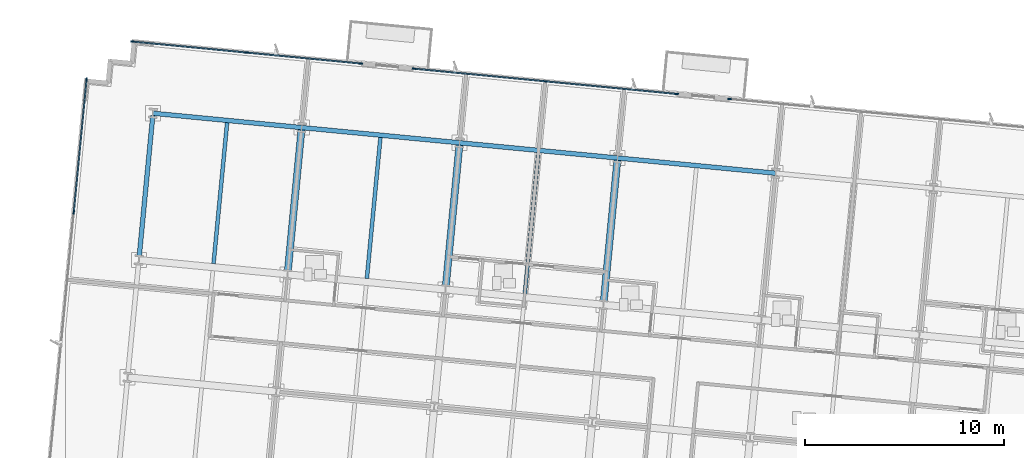
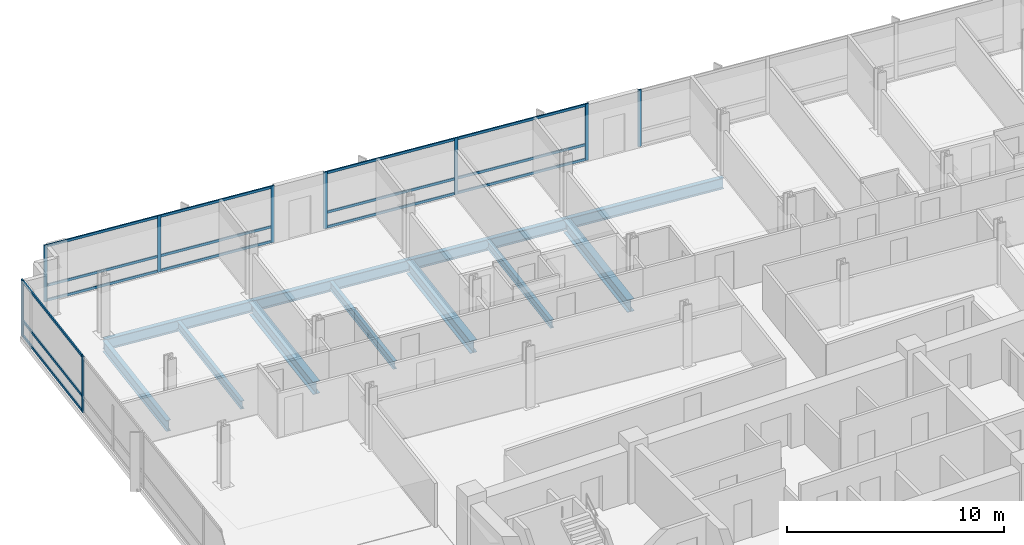
# One storey, part 7 of 17: 24 members, 11 beams, 4 elements without a shape of their own.
"""IFC4 building model written with IfcOpenShell, lengths in metres."""

from ifc_helpers import new_model, si_unit, direction, frame, origin, origin_2d, place, context, subcontext, project, spatial, rectangle, i_section, extrude, material, material_profile, profile_set, type_object, element, aggregate, save


model = new_model("IFC4")

# Units and contexts
model_context = context("Model", 3, precision=1e-05, world=origin(), true_north=direction((0.0, 1.0)))
body_context = subcontext(model_context, "Body", "Model", "MODEL_VIEW")
ifc_project = project(units=[si_unit("LENGTHUNIT", "METRE"), si_unit("AREAUNIT", "SQUARE_METRE"), si_unit("VOLUMEUNIT", "CUBIC_METRE"), si_unit("PLANEANGLEUNIT", "RADIAN"), si_unit("MASSUNIT", "GRAM", prefix="KILO")], contexts=[model_context])

# Site, building, storey
site_placement = place(None, origin())
site = spatial("IfcSite", under=ifc_project, at=site_placement, CompositionType="ELEMENT")
building_placement = place(site_placement, origin())
building = spatial("IfcBuilding", under=site, at=building_placement, Name="Solmavex Isthmus Hotel", CompositionType="ELEMENT")
storey_placement = place(building_placement, frame((0.0, 0.0, 142.800048828125)))
storey = spatial("IfcBuildingStorey", under=building, at=storey_placement, Name="L38", CompositionType="ELEMENT", Elevation=142.800048828125)

# Beams
ifc_material_1 = material(Name="Steel ASTM A992 Grade 50", Category="steel")
ifc_material_profile_1 = material_profile(ifc_material_1, i_section(OverallWidth=0.354736328125, OverallDepth=0.695556640625, WebThickness=0.015380859375, FlangeThickness=0.02490234375, FilletRadius=0.017822265625, at=origin_2d()), Name="W27X146")
ifc_profile_set_1 = profile_set([ifc_material_profile_1], Name="Steel ASTM A992 Grade 50")
beam_type_1 = type_object("IfcBeamType", Name="BM-BG-W27X146", PredefinedType="BEAM", material=ifc_profile_set_1)
beam_1_placement = place(storey_placement, frame((-15.254150390625, 13.07275390625, -0.60791015625), z_axis=(0.095839524498, 0.995396798038, 0.0), x_axis=(-0.995396798038, 0.095839524498, 0.0)))
element("IfcBeam", 1, at=beam_1_placement, inside=storey, type_object=beam_type_1, Name="Floor Beam L38-VG26", PredefinedType="BEAM", context=body_context, shape_type="SweptSolid", body=[
    extrude(i_section(OverallWidth=0.354736328125, OverallDepth=0.695556640625, WebThickness=0.015380859375, FlangeThickness=0.02490234375, FilletRadius=0.017822265625, at=origin_2d()), origin(), (0.0, 0.0, 1.0), 7.099609375),
])
beam_2_placement = place(storey_placement, frame((-7.3349609375, 12.310302734375, -0.60791015625), z_axis=(0.09587687835, 0.9953932008, 0.0), x_axis=(-0.9953932008, 0.09587687835, 0.0)))
element("IfcBeam", 2, at=beam_2_placement, inside=storey, type_object=beam_type_1, Name="Floor Beam L38-VG29", PredefinedType="BEAM", context=body_context, shape_type="SweptSolid", body=[
    extrude(i_section(OverallWidth=0.354736328125, OverallDepth=0.695556640625, WebThickness=0.015380859375, FlangeThickness=0.02490234375, FilletRadius=0.017822265625, at=origin_2d()), origin(), (0.0, 0.0, 1.0), 7.099365234375),
])
beam_3_placement = place(storey_placement, frame((0.58447265625, 11.547607421875, -0.60791015625), z_axis=(0.095839524498, 0.995396798038, 0.0), x_axis=(-0.995396798038, 0.095839524498, 0.0)))
element("IfcBeam", 3, at=beam_3_placement, inside=storey, type_object=beam_type_1, Name="Floor Beam L38-VG32", PredefinedType="BEAM", context=body_context, shape_type="SweptSolid", body=[
    extrude(i_section(OverallWidth=0.354736328125, OverallDepth=0.695556640625, WebThickness=0.015380859375, FlangeThickness=0.02490234375, FilletRadius=0.017822265625, at=origin_2d()), origin(), (0.0, 0.0, 1.0), 7.099609375),
])
ifc_material_profile_2 = material_profile(ifc_material_1, i_section(OverallWidth=0.1904296875, OverallDepth=0.456787109375, WebThickness=0.009033203125, FlangeThickness=0.014404296875, FilletRadius=0.0126953125, at=origin_2d()), Name="W18X50")
ifc_profile_set_2 = profile_set([ifc_material_profile_2], Name="Steel ASTM A992 Grade 50")
beam_type_2 = type_object("IfcBeamType", Name="BM-BJ-W18X50", PredefinedType="JOIST", material=ifc_profile_set_2)
for number, where, z_axis, x_axis, name in (
    (4, (-18.98095703125, 13.431640625, -0.488525390625), (0.095842805175, 0.99539648216, 0.0), (-0.99539648216, 0.095842805175, 0.0), "Secondary Floor Joist L38-J03"),
    (5, (-11.29443359375, 12.691650390625, -0.488525390625), (0.095842805175, 0.99539648216, 0.0), (-0.99539648216, 0.095842805175, 0.0), "Secondary Floor Joist L38-J06"),
    (6, (-3.375244140625, 11.928955078125, -0.488525390625), (0.09587687835, 0.9953932008, 0.0), (-0.9953932008, 0.09587687835, 0.0), "Secondary Floor Joist L38-J09"),
):
    element("IfcBeam", number, at=place(storey_placement, frame(where, z_axis=z_axis, x_axis=x_axis)), inside=storey, type_object=beam_type_2, Name=name, PredefinedType="JOIST", context=body_context, shape_type="SweptSolid", body=[
        extrude(i_section(OverallWidth=0.1904296875, OverallDepth=0.456787109375, WebThickness=0.009033203125, FlangeThickness=0.014404296875, FilletRadius=0.0126953125, at=origin_2d()), origin(), (0.0, 0.0, 1.0), 7.099365234375),
    ])
ifc_material_profile_3 = material_profile(ifc_material_1, i_section(OverallWidth=0.230224609375, OverallDepth=0.617431640625, WebThickness=0.01318359375, FlangeThickness=0.022216796875, FilletRadius=0.01513671875, at=origin_2d()), Name="W24X94")
ifc_profile_set_3 = profile_set([ifc_material_profile_3], Name="Steel ASTM A992 Grade 50")
beam_type_3 = type_object("IfcBeamType", Name="BM-SP-W24X94", PredefinedType="SPANDREL", material=ifc_profile_set_3)
beam_4_placement = place(storey_placement, frame((-22.016357421875, 20.971923828125, -0.56884765625), z_axis=(0.995395279593, -0.095855293875, 0.0), x_axis=(0.095855293875, 0.995395279593, 0.0)))
element("IfcBeam", 7, at=beam_4_placement, inside=storey, type_object=beam_type_3, Name="Floor Girder L38-UG15", PredefinedType="SPANDREL", context=body_context, shape_type="SweptSolid", body=[
    extrude(i_section(OverallWidth=0.230224609375, OverallDepth=0.617431640625, WebThickness=0.01318359375, FlangeThickness=0.022216796875, FilletRadius=0.01513671875, at=origin_2d()), origin(), (0.0, 0.0, 1.0), 7.488037109375),
])
for number, where, z_axis, x_axis, name in (
    (8, (-14.562744140625, 20.254150390625, -0.56884765625), (0.995397440011, -0.095832856685, 0.0), (0.095832856685, 0.995397440011, 0.0), "Floor Girder L38-UG16"),
    (9, (-6.643310546875, 19.49169921875, -0.56884765625), (0.995394512348, -0.095863260885, 0.0), (0.095863260885, 0.995394512348, 0.0), "Floor Girder L38-UG17"),
):
    element("IfcBeam", number, at=place(storey_placement, frame(where, z_axis=z_axis, x_axis=x_axis)), inside=storey, type_object=beam_type_3, Name=name, PredefinedType="SPANDREL", context=body_context, shape_type="SweptSolid", body=[
        extrude(i_section(OverallWidth=0.230224609375, OverallDepth=0.617431640625, WebThickness=0.01318359375, FlangeThickness=0.022216796875, FilletRadius=0.01513671875, at=origin_2d()), origin(), (0.0, 0.0, 1.0), 7.9560546875),
    ])
beam_5_placement = place(storey_placement, frame((1.276123046875, 18.72900390625, -0.56884765625), z_axis=(0.995397158178, -0.095835783981, 0.0), x_axis=(0.095835783981, 0.995397158178, 0.0)))
element("IfcBeam", 10, at=beam_5_placement, inside=storey, type_object=beam_type_3, Name="Floor Girder L38-UG18", PredefinedType="SPANDREL", context=body_context, shape_type="SweptSolid", body=[
    extrude(i_section(OverallWidth=0.230224609375, OverallDepth=0.617431640625, WebThickness=0.01318359375, FlangeThickness=0.022216796875, FilletRadius=0.01513671875, at=origin_2d()), origin(), (0.0, 0.0, 1.0), 7.955810546875),
])
beam_6_placement = place(storey_placement, frame((-22.707763671875, 13.79052734375, -0.56884765625), z_axis=(0.095842805175, 0.99539648216, 0.0), x_axis=(-0.99539648216, 0.095842805175, 0.0)))
element("IfcBeam", 11, at=beam_6_placement, inside=storey, type_object=beam_type_3, Name="Floor Beam L38-VG23", PredefinedType="SPANDREL", context=body_context, shape_type="SweptSolid", body=[
    extrude(i_section(OverallWidth=0.230224609375, OverallDepth=0.617431640625, WebThickness=0.01318359375, FlangeThickness=0.022216796875, FilletRadius=0.01513671875, at=origin_2d()), origin(), (0.0, 0.0, 1.0), 7.099365234375),
])

# Curtain wall, members
ifc_material_2 = material(Name="Aluminium alloy 6063-T6", Category="aluminium")
curtain_wall_type = type_object("IfcCurtainWallType", Name="CW-SYS-03", PredefinedType="NOTDEFINED", material=ifc_material_2)
curtain_wall_1_placement = place(storey_placement, origin())
curtain_wall_1 = element("IfcCurtainWall", 12, at=curtain_wall_1_placement, inside=storey, type_object=curtain_wall_type, Name="Stick Curtain Wall CWL-L38-N1", PredefinedType="NOTDEFINED")
ifc_material_profile_4 = material_profile(ifc_material_2, rectangle(XDim=0.070068359375, YDim=0.179931640625, at=origin_2d()), Name="CWM-70X180")
ifc_profile_set_4 = profile_set([ifc_material_profile_4], Name="Aluminium alloy 6063-T6")
member_type_1 = type_object("IfcMemberType", Name="CW-SYS-03-MUL", PredefinedType="MULLION", material=ifc_profile_set_4)
member_1_placement = place(storey_placement, frame((-23.04150390625, 24.566650390625, 0.0), z_axis=(0.0, 0.0, 1.0), x_axis=(0.095845521008, 0.995396220659, 0.0)))
member_1 = element("IfcMember", 13, at=member_1_placement, type_object=member_type_1, Name="CW-03 mullion 1", PredefinedType="MULLION", context=body_context, shape_type="SweptSolid", body=[
    extrude(rectangle(XDim=0.070068359375, YDim=0.179931640625, at=origin_2d()), origin(), (0.0, 0.0, 1.0), 3.18994140625),
])
member_2_placement = place(storey_placement, frame((-17.31982421875, 24.015869140625, 0.0), z_axis=(0.0, 0.0, 1.0), x_axis=(0.095845521008, 0.995396220659, 0.0)))
member_2 = element("IfcMember", 14, at=member_2_placement, type_object=member_type_1, Name="CW-03 mullion 2", PredefinedType="MULLION", context=body_context, shape_type="SweptSolid", body=[
    extrude(rectangle(XDim=0.070068359375, YDim=0.179931640625, at=origin_2d()), origin(), (0.0, 0.0, 1.0), 3.18994140625),
])
member_3_placement = place(storey_placement, frame((-11.598388671875, 23.46484375, 0.0), z_axis=(0.0, 0.0, 1.0), x_axis=(0.095845521008, 0.995396220659, 0.0)))
member_3 = element("IfcMember", 15, at=member_3_placement, type_object=member_type_1, Name="CW-03 mullion 3", PredefinedType="MULLION", context=body_context, shape_type="SweptSolid", body=[
    extrude(rectangle(XDim=0.070068359375, YDim=0.179931640625, at=origin_2d()), origin(), (0.0, 0.0, 1.0), 3.18994140625),
])

curtain_wall_2_placement = place(storey_placement, origin())
curtain_wall_2 = element("IfcCurtainWall", 16, at=curtain_wall_2_placement, inside=storey, type_object=curtain_wall_type, Name="Stick Curtain Wall CWL-L38-N2", PredefinedType="NOTDEFINED")
member_4_placement = place(storey_placement, frame((-8.940673828125, 23.208984375, 0.0), z_axis=(0.0, 0.0, 1.0), x_axis=(0.095845138178, 0.995396257521, 0.0)))
member_4 = element("IfcMember", 17, at=member_4_placement, type_object=member_type_1, Name="CW-03 mullion 1", PredefinedType="MULLION", context=body_context, shape_type="SweptSolid", body=[
    extrude(rectangle(XDim=0.070068359375, YDim=0.179931640625, at=origin_2d()), origin(), (0.0, 0.0, 1.0), 3.18994140625),
])
member_5_placement = place(storey_placement, frame((-2.35009765625, 22.574462890625, 0.0), z_axis=(0.0, 0.0, 1.0), x_axis=(0.095845138178, 0.995396257521, 0.0)))
member_5 = element("IfcMember", 18, at=member_5_placement, type_object=member_type_1, Name="CW-03 mullion 2", PredefinedType="MULLION", context=body_context, shape_type="SweptSolid", body=[
    extrude(rectangle(XDim=0.070068359375, YDim=0.179931640625, at=origin_2d()), origin(), (0.0, 0.0, 1.0), 3.18994140625),
])
member_6_placement = place(storey_placement, frame((4.240478515625, 21.939697265625, 0.0), z_axis=(0.0, 0.0, 1.0), x_axis=(0.095845138178, 0.995396257521, 0.0)))
member_6 = element("IfcMember", 19, at=member_6_placement, type_object=member_type_1, Name="CW-03 mullion 3", PredefinedType="MULLION", context=body_context, shape_type="SweptSolid", body=[
    extrude(rectangle(XDim=0.070068359375, YDim=0.179931640625, at=origin_2d()), origin(), (0.0, 0.0, 1.0), 3.18994140625),
])

# Curtain wall, member
curtain_wall_3_placement = place(storey_placement, origin())
curtain_wall_3 = element("IfcCurtainWall", 20, at=curtain_wall_3_placement, inside=storey, type_object=curtain_wall_type, Name="Stick Curtain Wall CWL-L38-N3", PredefinedType="NOTDEFINED")
member_7_placement = place(storey_placement, frame((6.898193359375, 21.683837890625, 0.0), z_axis=(0.0, 0.0, 1.0), x_axis=(0.095845735304, 0.995396200025, 0.0)))
member_7 = element("IfcMember", 21, at=member_7_placement, type_object=member_type_1, Name="CW-03 mullion 1", PredefinedType="MULLION", context=body_context, shape_type="SweptSolid", body=[
    extrude(rectangle(XDim=0.070068359375, YDim=0.179931640625, at=origin_2d()), origin(), (0.0, 0.0, 1.0), 3.18994140625),
])
aggregate(curtain_wall_3, [member_7])

# Curtain wall, members
curtain_wall_4_placement = place(storey_placement, origin())
curtain_wall_4 = element("IfcCurtainWall", 22, at=curtain_wall_4_placement, inside=storey, type_object=curtain_wall_type, Name="Stick Curtain Wall CWL-L38-W1", PredefinedType="NOTDEFINED")
member_8_placement = place(storey_placement, frame((-25.990234375, 16.010009765625, 0.0), z_axis=(0.0, 0.0, 1.0), x_axis=(-0.995396190038, 0.09584583902, 0.0)))
member_8 = element("IfcMember", 23, at=member_8_placement, type_object=member_type_1, Name="CW-03 mullion 5", PredefinedType="MULLION", context=body_context, shape_type="SweptSolid", body=[
    extrude(rectangle(XDim=0.070068359375, YDim=0.179931640625, at=origin_2d()), origin(), (0.0, 0.0, 1.0), 3.18994140625),
])
member_9_placement = place(storey_placement, frame((-25.349365234375, 22.6640625, 0.0), z_axis=(0.0, 0.0, 1.0), x_axis=(-0.995396190038, 0.09584583902, 0.0)))
member_9 = element("IfcMember", 24, at=member_9_placement, type_object=member_type_1, Name="CW-03 mullion 6", PredefinedType="MULLION", context=body_context, shape_type="SweptSolid", body=[
    extrude(rectangle(XDim=0.070068359375, YDim=0.179931640625, at=origin_2d()), origin(), (0.0, 0.0, 1.0), 3.18994140625),
])

# Member
ifc_material_profile_5 = material_profile(ifc_material_2, rectangle(XDim=0.070068359375, YDim=0.139892578125, at=origin_2d()), Name="CWT-70X140")
ifc_profile_set_5 = profile_set([ifc_material_profile_5], Name="Aluminium alloy 6063-T6")
member_type_2 = type_object("IfcMemberType", Name="CW-SYS-03-TRN", PredefinedType="USERDEFINED", material=ifc_profile_set_5)
member_10_placement = place(storey_placement, frame((-23.006591796875, 24.563232421875, 0.070068359375), z_axis=(0.995396573568, -0.095841855831, 0.0), x_axis=(0.095841855831, 0.995396573568, 0.0)))
member_10 = element("IfcMember", 25, at=member_10_placement, type_object=member_type_2, Name="CW-03 transom 1.1", ObjectType="TRANSOM", PredefinedType="USERDEFINED", context=body_context, shape_type="SweptSolid", body=[
    extrude(rectangle(XDim=0.070068359375, YDim=0.139892578125, at=origin_2d()), origin(), (0.0, 0.0, 1.0), 5.677978515625),
])

member_11_placement = place(storey_placement, frame((-23.006591796875, 24.563232421875, 0.89990234375), z_axis=(0.995396573568, -0.095841855831, 0.0), x_axis=(0.095841855831, 0.995396573568, 0.0)))
member_11 = element("IfcMember", 26, at=member_11_placement, type_object=member_type_2, Name="CW-03 transom 1.2", ObjectType="TRANSOM", PredefinedType="USERDEFINED", context=body_context, shape_type="SweptSolid", body=[
    extrude(rectangle(XDim=0.070068359375, YDim=0.139892578125, at=origin_2d()), origin(), (0.0, 0.0, 1.0), 5.677978515625),
])

member_12_placement = place(storey_placement, frame((-23.006591796875, 24.563232421875, 3.119873046875), z_axis=(0.995396573568, -0.095841855831, 0.0), x_axis=(0.095841855831, 0.995396573568, 0.0)))
member_12 = element("IfcMember", 27, at=member_12_placement, type_object=member_type_2, Name="CW-03 transom 1.3", ObjectType="TRANSOM", PredefinedType="USERDEFINED", context=body_context, shape_type="SweptSolid", body=[
    extrude(rectangle(XDim=0.070068359375, YDim=0.139892578125, at=origin_2d()), origin(), (0.0, 0.0, 1.0), 5.677978515625),
])

member_13_placement = place(storey_placement, frame((-17.28515625, 24.012451171875, 0.070068359375), z_axis=(0.995396968505, -0.095837753998, 0.0), x_axis=(0.095837753998, 0.995396968505, 0.0)))
member_13 = element("IfcMember", 28, at=member_13_placement, type_object=member_type_2, Name="CW-03 transom 2.1", ObjectType="TRANSOM", PredefinedType="USERDEFINED", context=body_context, shape_type="SweptSolid", body=[
    extrude(rectangle(XDim=0.070068359375, YDim=0.139892578125, at=origin_2d()), origin(), (0.0, 0.0, 1.0), 5.67822265625),
])

member_14_placement = place(storey_placement, frame((-17.28515625, 24.012451171875, 0.89990234375), z_axis=(0.995396968505, -0.095837753998, 0.0), x_axis=(0.095837753998, 0.995396968505, 0.0)))
member_14 = element("IfcMember", 29, at=member_14_placement, type_object=member_type_2, Name="CW-03 transom 2.2", ObjectType="TRANSOM", PredefinedType="USERDEFINED", context=body_context, shape_type="SweptSolid", body=[
    extrude(rectangle(XDim=0.070068359375, YDim=0.139892578125, at=origin_2d()), origin(), (0.0, 0.0, 1.0), 5.67822265625),
])

member_15_placement = place(storey_placement, frame((-17.28515625, 24.012451171875, 3.119873046875), z_axis=(0.995396968505, -0.095837753998, 0.0), x_axis=(0.095837753998, 0.995396968505, 0.0)))
member_15 = element("IfcMember", 30, at=member_15_placement, type_object=member_type_2, Name="CW-03 transom 2.3", ObjectType="TRANSOM", PredefinedType="USERDEFINED", context=body_context, shape_type="SweptSolid", body=[
    extrude(rectangle(XDim=0.070068359375, YDim=0.139892578125, at=origin_2d()), origin(), (0.0, 0.0, 1.0), 5.67822265625),
])

aggregate(curtain_wall_1, [member_1, member_2, member_3, member_10, member_11, member_12, member_13, member_14, member_15])

member_16_placement = place(storey_placement, frame((-8.90576171875, 23.20556640625, 0.070068359375), z_axis=(0.995395431006, -0.095853721538, 0.0), x_axis=(0.095853721538, 0.995395431006, 0.0)))
member_16 = element("IfcMember", 31, at=member_16_placement, type_object=member_type_2, Name="CW-03 transom 1.1", ObjectType="TRANSOM", PredefinedType="USERDEFINED", context=body_context, shape_type="SweptSolid", body=[
    extrude(rectangle(XDim=0.070068359375, YDim=0.139892578125, at=origin_2d()), origin(), (0.0, 0.0, 1.0), 6.551025390625),
])

member_17_placement = place(storey_placement, frame((-8.90576171875, 23.20556640625, 0.89990234375), z_axis=(0.995395431006, -0.095853721538, 0.0), x_axis=(0.095853721538, 0.995395431006, 0.0)))
member_17 = element("IfcMember", 32, at=member_17_placement, type_object=member_type_2, Name="CW-03 transom 1.2", ObjectType="TRANSOM", PredefinedType="USERDEFINED", context=body_context, shape_type="SweptSolid", body=[
    extrude(rectangle(XDim=0.070068359375, YDim=0.139892578125, at=origin_2d()), origin(), (0.0, 0.0, 1.0), 6.551025390625),
])

member_18_placement = place(storey_placement, frame((-8.90576171875, 23.20556640625, 3.119873046875), z_axis=(0.995395431006, -0.095853721538, 0.0), x_axis=(0.095853721538, 0.995395431006, 0.0)))
member_18 = element("IfcMember", 33, at=member_18_placement, type_object=member_type_2, Name="CW-03 transom 1.3", ObjectType="TRANSOM", PredefinedType="USERDEFINED", context=body_context, shape_type="SweptSolid", body=[
    extrude(rectangle(XDim=0.070068359375, YDim=0.139892578125, at=origin_2d()), origin(), (0.0, 0.0, 1.0), 6.551025390625),
])

member_19_placement = place(storey_placement, frame((-2.315185546875, 22.571044921875, 0.070068359375), z_axis=(0.995395431006, -0.095853721538, 0.0), x_axis=(0.095853721538, 0.995395431006, 0.0)))
member_19 = element("IfcMember", 34, at=member_19_placement, type_object=member_type_2, Name="CW-03 transom 2.1", ObjectType="TRANSOM", PredefinedType="USERDEFINED", context=body_context, shape_type="SweptSolid", body=[
    extrude(rectangle(XDim=0.070068359375, YDim=0.139892578125, at=origin_2d()), origin(), (0.0, 0.0, 1.0), 6.551025390625),
])

member_20_placement = place(storey_placement, frame((-2.315185546875, 22.571044921875, 0.89990234375), z_axis=(0.995395431006, -0.095853721538, 0.0), x_axis=(0.095853721538, 0.995395431006, 0.0)))
member_20 = element("IfcMember", 35, at=member_20_placement, type_object=member_type_2, Name="CW-03 transom 2.2", ObjectType="TRANSOM", PredefinedType="USERDEFINED", context=body_context, shape_type="SweptSolid", body=[
    extrude(rectangle(XDim=0.070068359375, YDim=0.139892578125, at=origin_2d()), origin(), (0.0, 0.0, 1.0), 6.551025390625),
])

member_21_placement = place(storey_placement, frame((-2.315185546875, 22.571044921875, 3.119873046875), z_axis=(0.995395431006, -0.095853721538, 0.0), x_axis=(0.095853721538, 0.995395431006, 0.0)))
member_21 = element("IfcMember", 36, at=member_21_placement, type_object=member_type_2, Name="CW-03 transom 2.3", ObjectType="TRANSOM", PredefinedType="USERDEFINED", context=body_context, shape_type="SweptSolid", body=[
    extrude(rectangle(XDim=0.070068359375, YDim=0.139892578125, at=origin_2d()), origin(), (0.0, 0.0, 1.0), 6.551025390625),
])

aggregate(curtain_wall_2, [member_4, member_5, member_6, member_16, member_17, member_18, member_19, member_20, member_21])

member_22_placement = place(storey_placement, frame((-25.98681640625, 16.044677734375, 0.070068359375), z_axis=(0.095845316679, 0.995396240334, 0.0), x_axis=(-0.995396240334, 0.095845316679, 0.0)))
member_22 = element("IfcMember", 37, at=member_22_placement, type_object=member_type_2, Name="CW-03 transom 5.1", ObjectType="TRANSOM", PredefinedType="USERDEFINED", context=body_context, shape_type="SweptSolid", body=[
    extrude(rectangle(XDim=0.070068359375, YDim=0.139892578125, at=origin_2d()), origin(), (0.0, 0.0, 1.0), 6.615234375),
])

member_23_placement = place(storey_placement, frame((-25.98681640625, 16.044677734375, 0.89990234375), z_axis=(0.095845316679, 0.995396240334, 0.0), x_axis=(-0.995396240334, 0.095845316679, 0.0)))
member_23 = element("IfcMember", 38, at=member_23_placement, type_object=member_type_2, Name="CW-03 transom 5.2", ObjectType="TRANSOM", PredefinedType="USERDEFINED", context=body_context, shape_type="SweptSolid", body=[
    extrude(rectangle(XDim=0.070068359375, YDim=0.139892578125, at=origin_2d()), origin(), (0.0, 0.0, 1.0), 6.615234375),
])

member_24_placement = place(storey_placement, frame((-25.98681640625, 16.044677734375, 3.119873046875), z_axis=(0.095845316679, 0.995396240334, 0.0), x_axis=(-0.995396240334, 0.095845316679, 0.0)))
member_24 = element("IfcMember", 39, at=member_24_placement, type_object=member_type_2, Name="CW-03 transom 5.3", ObjectType="TRANSOM", PredefinedType="USERDEFINED", context=body_context, shape_type="SweptSolid", body=[
    extrude(rectangle(XDim=0.070068359375, YDim=0.139892578125, at=origin_2d()), origin(), (0.0, 0.0, 1.0), 6.615234375),
])

aggregate(curtain_wall_4, [member_8, member_9, member_22, member_23, member_24])

save(model, "model.ifc")
